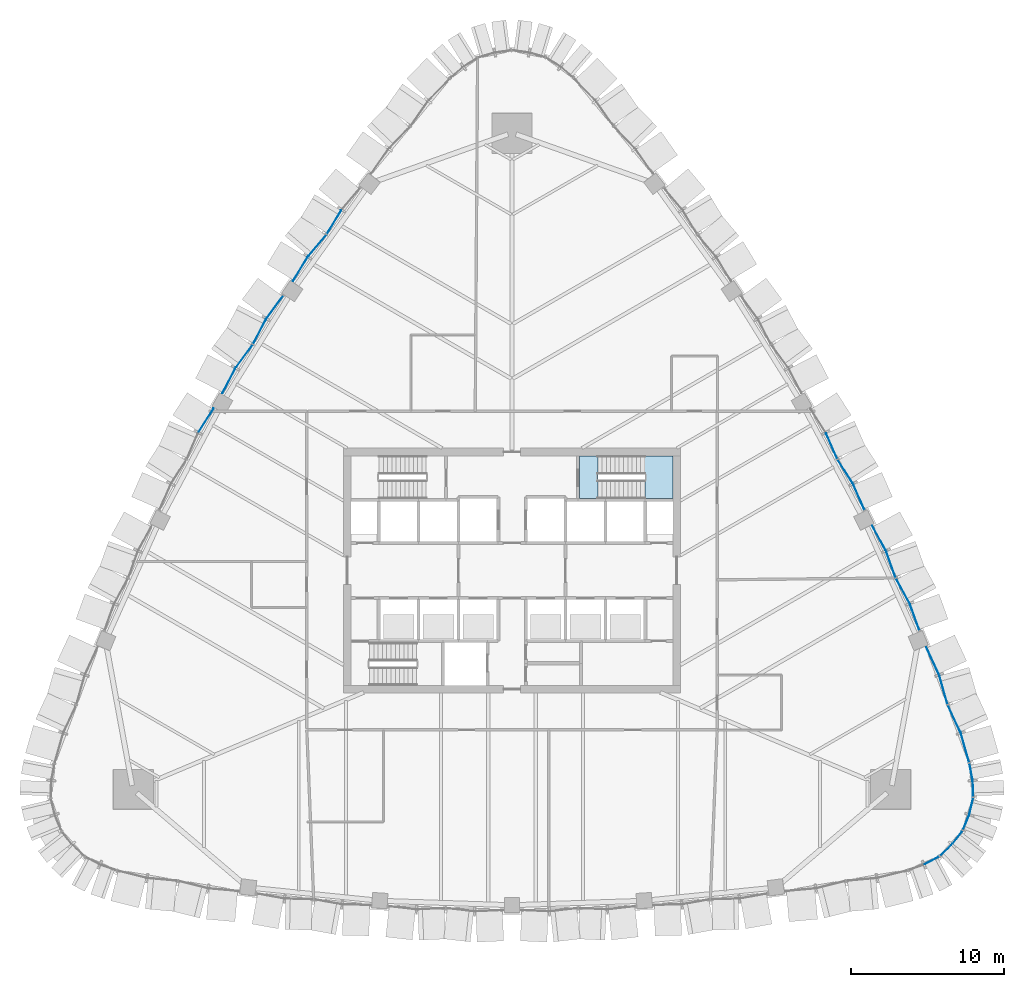
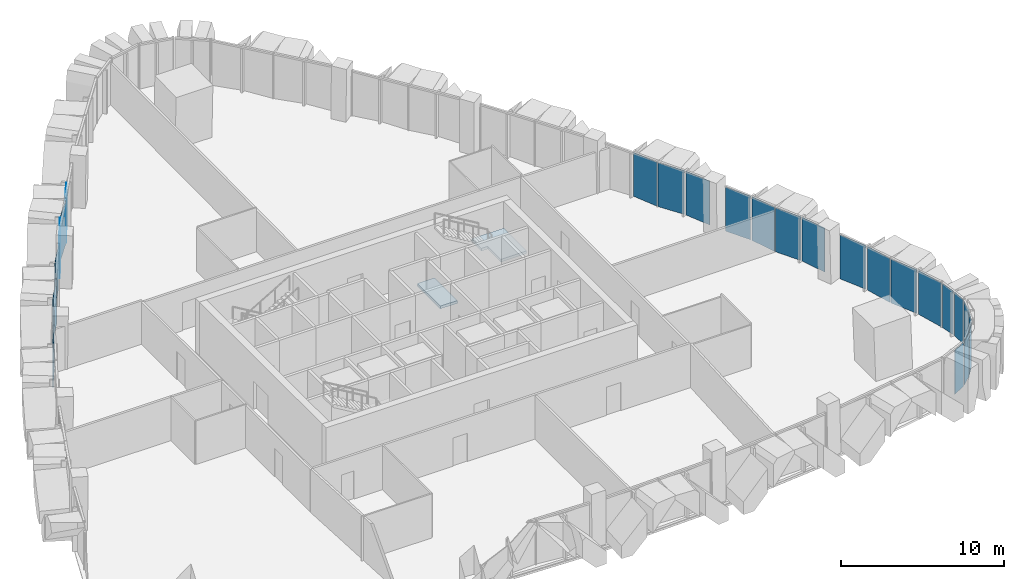
# One storey, part 10 of 18: 26 plates, 2 slabs, 11 elements without a shape of their own.
"""IFC4 building model written with IfcOpenShell, lengths in metres."""

from ifc_helpers import new_model, si_unit, direction, frame, origin, place, context, subcontext, project, spatial, polyline, outline, extrude, material, layer, layer_set, type_object, element, aggregate, save


model = new_model("IFC4")

# Units and contexts
model_context = context("Model", 3, precision=1e-05, world=origin(), true_north=direction((0.0, 1.0)))
body_context = subcontext(model_context, "Body", "Model", "MODEL_VIEW")
ifc_project = project(units=[si_unit("LENGTHUNIT", "METRE"), si_unit("AREAUNIT", "SQUARE_METRE"), si_unit("VOLUMEUNIT", "CUBIC_METRE"), si_unit("PLANEANGLEUNIT", "RADIAN"), si_unit("MASSUNIT", "GRAM", prefix="KILO")], contexts=[model_context])

# Site, building, storey
site_placement = place(None, origin())
site = spatial("IfcSite", under=ifc_project, at=site_placement, CompositionType="ELEMENT")
building_placement = place(site_placement, origin())
building = spatial("IfcBuilding", under=site, at=building_placement, Name="Sierra Prisma Convention Tower", CompositionType="ELEMENT")
storey_placement = place(building_placement, frame((0.0, 0.0, 137.800048828125)))
storey = spatial("IfcBuildingStorey", under=building, at=storey_placement, Name="L29", CompositionType="ELEMENT", Elevation=137.800048828125)

# Curtain wall, plate
ifc_material_1 = material(Name="Aluminium and glass curtain wall", Category="aluminium")
ifc_layer_1 = layer(ifc_material_1, 0.179931640625)
ifc_layer_set_1 = layer_set([ifc_layer_1], Name="CW-2 Faceted crystal curtain wall")
curtain_wall_type = type_object("IfcCurtainWallType", Name="CW-2 Faceted crystal curtain wall", PredefinedType="NOTDEFINED", material=ifc_layer_set_1)
curtain_wall_1_placement = place(storey_placement, origin())
curtain_wall_1 = element("IfcCurtainWall", 1, at=curtain_wall_1_placement, inside=storey, type_object=curtain_wall_type, Name="CW-2 SE1 L29", PredefinedType="NOTDEFINED")
ifc_material_2 = material(Name="Tinted glass bronze-grey IGU", Category="glass")
ifc_layer_2 = layer(ifc_material_2, 0.028076171875)
ifc_layer_set_2 = layer_set([ifc_layer_2], Name="CW-2 crystal pane")
plate_type = type_object("IfcPlateType", Name="CW-2 crystal pane", PredefinedType="CURTAIN_PANEL", material=ifc_layer_set_2)
plate_1_placement = place(storey_placement, frame((27.85400390625, -18.7099609375, 0.0), z_axis=(0.471661047399, -0.881779936473, 0.0), x_axis=(-0.881779936473, -0.471661047399, 0.0)))
plate_1 = element("IfcPlate", 2, at=plate_1_placement, type_object=plate_type, Name="CW-2 pane SE1.1.2", PredefinedType="CURTAIN_PANEL", context=body_context, shape_type="SweptSolid", body=[
    extrude(outline(polyline([(0.0, 0.0), (1.0036628517142567, 0.0), (1.0036628517142567, -3.280029296875), (0.0, -3.280029296875), (0.0, 0.0)])), origin(), (0.0, 0.0, -1.0), 0.028076171875),
])
aggregate(curtain_wall_1, [plate_1])

# Curtain wall, plates
curtain_wall_2_placement = place(storey_placement, origin())
curtain_wall_2 = element("IfcCurtainWall", 3, at=curtain_wall_2_placement, inside=storey, type_object=curtain_wall_type, Name="CW-2 SE2 L29", PredefinedType="NOTDEFINED")
plate_2_placement = place(storey_placement, frame((27.965087890625, -18.6298828125, 0.0), z_axis=(0.686873553364, -0.726776940807, 0.0), x_axis=(0.726776940807, 0.686873553364, 0.0)))
plate_2 = element("IfcPlate", 4, at=plate_2_placement, type_object=plate_type, Name="CW-2 pane SE2.1.1", PredefinedType="CURTAIN_PANEL", context=body_context, shape_type="SweptSolid", body=[
    extrude(outline(polyline([(0.0, 0.0), (1.003400088705508, 0.0), (1.003400088705508, 3.280029296875), (0.0, 3.280029296875), (0.0, 0.0)])), origin(), (0.0, 0.0, -1.0), 0.028076171875),
])
plate_3_placement = place(storey_placement, frame((29.393798828125, -17.049560546875, 0.0), z_axis=(0.792108212903, -0.610380683714, 0.0), x_axis=(-0.610380683714, -0.792108212903, 0.0)))
plate_3 = element("IfcPlate", 5, at=plate_3_placement, type_object=plate_type, Name="CW-2 pane SE2.1.2", PredefinedType="CURTAIN_PANEL", context=body_context, shape_type="SweptSolid", body=[
    extrude(outline(polyline([(0.0, 0.0), (1.0035521183231224, 0.0), (1.0035521183231224, -3.280029296875), (0.0, -3.280029296875), (0.0, 0.0)])), origin(), (0.0, 0.0, -1.0), 0.028076171875),
])
aggregate(curtain_wall_2, [plate_2, plate_3])

curtain_wall_3_placement = place(storey_placement, origin())
curtain_wall_3 = element("IfcCurtainWall", 6, at=curtain_wall_3_placement, inside=storey, type_object=curtain_wall_type, Name="CW-2 SE3 L29", PredefinedType="NOTDEFINED")
plate_4_placement = place(storey_placement, frame((29.46240234375, -16.93115234375, 0.0), z_axis=(0.924688174629, -0.380725333674, 0.0), x_axis=(0.380725333674, 0.924688174629, 0.0)))
plate_4 = element("IfcPlate", 7, at=plate_4_placement, type_object=plate_type, Name="CW-2 pane SE3.1.1", PredefinedType="CURTAIN_PANEL", context=body_context, shape_type="SweptSolid", body=[
    extrude(outline(polyline([(0.0, 0.0), (1.0035583249425937, 0.0), (1.0035583249425937, 3.280029296875), (0.0, 3.280029296875), (0.0, 0.0)])), origin(), (0.0, 0.0, -1.0), 0.028076171875),
])
plate_5_placement = place(storey_placement, frame((30.116455078125, -14.9033203125, 0.0), z_axis=(0.972868825805, -0.231357402686, 0.0), x_axis=(-0.231357402686, -0.972868825805, 0.0)))
plate_5 = element("IfcPlate", 8, at=plate_5_placement, type_object=plate_type, Name="CW-2 pane SE3.1.2", PredefinedType="CURTAIN_PANEL", context=body_context, shape_type="SweptSolid", body=[
    extrude(outline(polyline([(0.0, 0.0), (1.0035457334831333, 0.0), (1.0035457334831333, -3.280029296875), (0.0, -3.280029296875), (0.0, 0.0)])), origin(), (0.0, 0.0, -1.0), 0.028076171875),
])
aggregate(curtain_wall_3, [plate_4, plate_5])

curtain_wall_4_placement = place(storey_placement, origin())
curtain_wall_4 = element("IfcCurtainWall", 9, at=curtain_wall_4_placement, inside=storey, type_object=curtain_wall_type, Name="CW-2 SE4 L29", PredefinedType="NOTDEFINED")
plate_6_placement = place(storey_placement, frame((30.130126953125, -14.76708984375, 0.0), z_axis=(0.999476313762, 0.032358897208, 0.0), x_axis=(-0.032358897208, 0.999476313762, 0.0)))
plate_6 = element("IfcPlate", 10, at=plate_6_placement, type_object=plate_type, Name="CW-2 pane SE4.1.1", PredefinedType="CURTAIN_PANEL", context=body_context, shape_type="SweptSolid", body=[
    extrude(outline(polyline([(0.0, 0.0), (1.0034551831697716, 0.0), (1.0034551831697716, 3.280029296875), (0.0, 3.280029296875), (0.0, 0.0)])), origin(), (0.0, 0.0, -1.0), 0.028076171875),
])
plate_7_placement = place(storey_placement, frame((29.894287109375, -12.649658203125, 0.0), z_axis=(0.982112141093, 0.188296952491, 0.0), x_axis=(0.188296952491, -0.982112141093, 0.0)))
plate_7 = element("IfcPlate", 11, at=plate_7_placement, type_object=plate_type, Name="CW-2 pane SE4.1.2", PredefinedType="CURTAIN_PANEL", context=body_context, shape_type="SweptSolid", body=[
    extrude(outline(polyline([(0.0, 0.0), (1.0035470104543807, 0.0), (1.0035470104543807, -3.280029296875), (0.0, -3.280029296875), (0.0, 0.0)])), origin(), (0.0, 0.0, -1.0), 0.028076171875),
])
aggregate(curtain_wall_4, [plate_6, plate_7])

curtain_wall_5_placement = place(storey_placement, origin())
curtain_wall_5 = element("IfcCurtainWall", 12, at=curtain_wall_5_placement, inside=storey, type_object=curtain_wall_type, Name="CW-2 NE1 L29", PredefinedType="NOTDEFINED")
plate_8_placement = place(storey_placement, frame((29.862060546875, -12.5146484375, 0.0), z_axis=(0.961738343213, 0.273969631884, 0.0), x_axis=(-0.273969631884, 0.961738343213, 0.0)))
plate_8 = element("IfcPlate", 13, at=plate_8_placement, type_object=plate_type, Name="CW-2 pane NE1.1.1", PredefinedType="CURTAIN_PANEL", context=body_context, shape_type="SweptSolid", body=[
    extrude(outline(polyline([(0.0, 0.0), (1.9310634201931127, 0.0), (1.9310634201931127, 3.280029296875001), (0.0, 3.280029296875001), (0.0, 0.0)])), origin(), (0.0, 0.0, -1.0), 0.028076171875),
])
plate_9_placement = place(storey_placement, frame((28.474853515625, -8.784423828125, 0.0), z_axis=(0.907046907926, 0.421029579509, 0.0), x_axis=(0.421029579509, -0.907046907926, 0.0)))
plate_9 = element("IfcPlate", 14, at=plate_9_placement, type_object=plate_type, Name="CW-2 pane NE1.1.2", PredefinedType="CURTAIN_PANEL", context=body_context, shape_type="SweptSolid", body=[
    extrude(outline(polyline([(0.0, 0.0), (1.9309528850653093, 0.0), (1.9309528850653093, -3.280029296875001), (0.0, -3.280029296875001), (0.0, 0.0)])), origin(), (0.0, 0.0, -1.0), 0.028076171875),
])
plate_10_placement = place(storey_placement, frame((28.450439453125, -8.718994140625, 0.0), z_axis=(0.961738343213, 0.273969631884, 0.0), x_axis=(-0.273969631884, 0.961738343213, 0.0)))
plate_10 = element("IfcPlate", 15, at=plate_10_placement, type_object=plate_type, Name="CW-2 pane NE1.2.1", PredefinedType="CURTAIN_PANEL", context=body_context, shape_type="SweptSolid", body=[
    extrude(outline(polyline([(0.0, 0.0), (1.9310634201931127, 0.0), (1.9310634201931127, 3.280029296875001), (0.0, 3.280029296875001), (0.0, 0.0)])), origin(), (0.0, 0.0, -1.0), 0.028076171875),
])
plate_11_placement = place(storey_placement, frame((27.063232421875, -4.98876953125, 0.0), z_axis=(0.907046907926, 0.421029579509, 0.0), x_axis=(0.421029579509, -0.907046907926, 0.0)))
plate_11 = element("IfcPlate", 16, at=plate_11_placement, type_object=plate_type, Name="CW-2 pane NE1.2.2", PredefinedType="CURTAIN_PANEL", context=body_context, shape_type="SweptSolid", body=[
    extrude(outline(polyline([(0.0, 0.0), (1.9309528850653093, 0.0), (1.9309528850653093, -3.280029296875001), (0.0, -3.280029296875001), (0.0, 0.0)])), origin(), (0.0, 0.0, -1.0), 0.028076171875),
])
aggregate(curtain_wall_5, [plate_8, plate_9, plate_10, plate_11])

curtain_wall_6_placement = place(storey_placement, origin())
curtain_wall_6 = element("IfcCurtainWall", 17, at=curtain_wall_6_placement, inside=storey, type_object=curtain_wall_type, Name="CW-2 NE2 L29", PredefinedType="NOTDEFINED")
plate_12_placement = place(storey_placement, frame((26.612060546875, -3.89404296875, 0.0), z_axis=(0.941254563031, 0.337697864331, 0.0), x_axis=(-0.337697864331, 0.941254563031, 0.0)))
plate_12 = element("IfcPlate", 18, at=plate_12_placement, type_object=plate_type, Name="CW-2 pane NE2.1.1", PredefinedType="CURTAIN_PANEL", context=body_context, shape_type="SweptSolid", body=[
    extrude(outline(polyline([(0.0, 0.0), (1.794376261307749, 0.0), (1.794376261307749, 3.280029296875), (0.0, 3.280029296875), (0.0, 0.0)])), origin(), (0.0, 0.0, -1.0), 0.028076171875),
])
plate_13_placement = place(storey_placement, frame((25.090087890625, -0.513671875, 0.0), z_axis=(0.876801305553, 0.480852857515, 0.0), x_axis=(0.480852857515, -0.876801305553, 0.0)))
plate_13 = element("IfcPlate", 19, at=plate_13_placement, type_object=plate_type, Name="CW-2 pane NE2.1.2", PredefinedType="CURTAIN_PANEL", context=body_context, shape_type="SweptSolid", body=[
    extrude(outline(polyline([(0.0, 0.0), (1.7942972684185372, 0.0), (1.7942972684185372, -3.280029296875), (0.0, -3.280029296875), (0.0, 0.0)])), origin(), (0.0, 0.0, -1.0), 0.028076171875),
])
plate_14_placement = place(storey_placement, frame((25.061279296875, -0.44970703125, 0.0), z_axis=(0.941254563031, 0.337697864331, 0.0), x_axis=(-0.337697864331, 0.941254563031, 0.0)))
plate_14 = element("IfcPlate", 20, at=plate_14_placement, type_object=plate_type, Name="CW-2 pane NE2.2.1", PredefinedType="CURTAIN_PANEL", context=body_context, shape_type="SweptSolid", body=[
    extrude(outline(polyline([(0.0, 0.0), (1.794376261307749, 0.0), (1.794376261307749, 3.280029296875), (0.0, 3.280029296875), (0.0, 0.0)])), origin(), (0.0, 0.0, -1.0), 0.028076171875),
])
plate_15_placement = place(storey_placement, frame((23.539306640625, 2.9306640625, 0.0), z_axis=(0.876801305553, 0.480852857515, 0.0), x_axis=(0.480852857515, -0.876801305553, 0.0)))
plate_15 = element("IfcPlate", 21, at=plate_15_placement, type_object=plate_type, Name="CW-2 pane NE2.2.2", PredefinedType="CURTAIN_PANEL", context=body_context, shape_type="SweptSolid", body=[
    extrude(outline(polyline([(0.0, 0.0), (1.7942972684185372, 0.0), (1.7942972684185372, -3.280029296875), (0.0, -3.280029296875), (0.0, 0.0)])), origin(), (0.0, 0.0, -1.0), 0.028076171875),
])
aggregate(curtain_wall_6, [plate_12, plate_13, plate_14, plate_15])

curtain_wall_7_placement = place(storey_placement, origin())
curtain_wall_7 = element("IfcCurtainWall", 22, at=curtain_wall_7_placement, inside=storey, type_object=curtain_wall_type, Name="CW-2 NE3 L29", PredefinedType="NOTDEFINED")
plate_16_placement = place(storey_placement, frame((23.031005859375, 3.96435546875, 0.0), z_axis=(0.916511389168, 0.400008591814, 0.0), x_axis=(-0.400008591814, 0.916511389168, 0.0)))
plate_16 = element("IfcPlate", 23, at=plate_16_placement, type_object=plate_type, Name="CW-2 pane NE3.1.1", PredefinedType="CURTAIN_PANEL", context=body_context, shape_type="SweptSolid", body=[
    extrude(outline(polyline([(0.0, 0.0), (1.802329450863922, 0.0), (1.802329450863922, 3.280029296875001), (0.0, 3.280029296875001), (0.0, 0.0)])), origin(), (0.0, 0.0, -1.0), 0.028076171875),
])
plate_17_placement = place(storey_placement, frame((21.2783203125, 7.24951171875, 0.0), z_axis=(0.842605777815, 0.538530874874, 0.0), x_axis=(0.538530874874, -0.842605777815, 0.0)))
plate_17 = element("IfcPlate", 24, at=plate_17_placement, type_object=plate_type, Name="CW-2 pane NE3.1.2", PredefinedType="CURTAIN_PANEL", context=body_context, shape_type="SweptSolid", body=[
    extrude(outline(polyline([(0.0, 0.0), (1.8025022710661531, 0.0), (1.8025022710661531, -3.280029296875), (0.0, -3.280029296875), (0.0, 0.0)])), origin(), (0.0, 0.0, -1.0), 0.028076171875),
])
plate_18_placement = place(storey_placement, frame((21.245361328125, 7.311279296875, 0.0), z_axis=(0.916511389168, 0.400008591814, 0.0), x_axis=(-0.400008591814, 0.916511389168, 0.0)))
plate_18 = element("IfcPlate", 25, at=plate_18_placement, type_object=plate_type, Name="CW-2 pane NE3.2.1", PredefinedType="CURTAIN_PANEL", context=body_context, shape_type="SweptSolid", body=[
    extrude(outline(polyline([(0.0, 0.0), (1.802329450863922, 0.0), (1.802329450863922, 3.280029296875001), (0.0, 3.280029296875001), (0.0, 0.0)])), origin(), (0.0, 0.0, -1.0), 0.028076171875),
])
aggregate(curtain_wall_7, [plate_16, plate_17, plate_18])

curtain_wall_8_placement = place(storey_placement, origin())
curtain_wall_8 = element("IfcCurtainWall", 26, at=curtain_wall_8_placement, inside=storey, type_object=curtain_wall_type, Name="CW-2 NW2 L29", PredefinedType="NOTDEFINED")
plate_19_placement = place(storey_placement, frame((-12.100341796875, 21.9853515625, 0.0), z_axis=(-0.854828468294, 0.518910676122, 0.0), x_axis=(0.518910676122, 0.854828468294, 0.0)))
plate_19 = element("IfcPlate", 27, at=plate_19_placement, type_object=plate_type, Name="CW-2 pane NW2.1.2", PredefinedType="CURTAIN_PANEL", context=body_context, shape_type="SweptSolid", body=[
    extrude(outline(polyline([(0.0, 0.0), (1.7944366662654392, 0.0), (1.7944366662654392, -3.280029296875001), (0.0, -3.280029296875001), (0.0, 0.0)])), origin(), (0.0, 0.0, -1.0), 0.028076171875),
])
plate_20_placement = place(storey_placement, frame((-12.14111328125, 21.928466796875, 0.0), z_axis=(-0.763066198616, 0.646320335847, 0.0), x_axis=(-0.646320335847, -0.763066198616, 0.0)))
plate_20 = element("IfcPlate", 28, at=plate_20_placement, type_object=plate_type, Name="CW-2 pane NW2.2.1", PredefinedType="CURTAIN_PANEL", context=body_context, shape_type="SweptSolid", body=[
    extrude(outline(polyline([(0.0, 0.0), (1.7942619231233055, 0.0), (1.7942619231233055, 3.280029296875), (0.0, 3.280029296875), (0.0, 0.0)])), origin(), (0.0, 0.0, -1.0), 0.028076171875),
])
plate_21_placement = place(storey_placement, frame((-14.3076171875, 18.920166015625, 0.0), z_axis=(-0.854828468294, 0.518910676122, 0.0), x_axis=(0.518910676122, 0.854828468294, 0.0)))
plate_21 = element("IfcPlate", 29, at=plate_21_placement, type_object=plate_type, Name="CW-2 pane NW2.2.2", PredefinedType="CURTAIN_PANEL", context=body_context, shape_type="SweptSolid", body=[
    extrude(outline(polyline([(0.0, 0.0), (1.7944366662654392, 0.0), (1.7944366662654392, -3.280029296875001), (0.0, -3.280029296875001), (0.0, 0.0)])), origin(), (0.0, 0.0, -1.0), 0.028076171875),
])
aggregate(curtain_wall_8, [plate_19, plate_20, plate_21])

curtain_wall_9_placement = place(storey_placement, origin())
curtain_wall_9 = element("IfcCurtainWall", 30, at=curtain_wall_9_placement, inside=storey, type_object=curtain_wall_type, Name="CW-2 NW3 L29", PredefinedType="NOTDEFINED")
plate_22_placement = place(storey_placement, frame((-14.94873046875, 17.963134765625, 0.0), z_axis=(-0.80464032763, 0.593762530943, 0.0), x_axis=(-0.593762530943, -0.80464032763, 0.0)))
plate_22 = element("IfcPlate", 31, at=plate_22_placement, type_object=plate_type, Name="CW-2 pane NW3.1.1", PredefinedType="CURTAIN_PANEL", context=body_context, shape_type="SweptSolid", body=[
    extrude(outline(polyline([(0.0, 0.0), (1.8025935356695917, 0.0), (1.8025935356695917, 3.280029296875), (0.0, 3.280029296875), (0.0, 0.0)])), origin(), (0.0, 0.0, -1.0), 0.028076171875),
])
plate_23_placement = place(storey_placement, frame((-16.91748046875, 14.802734375, 0.0), z_axis=(-0.887664319648, 0.460491102655, 0.0), x_axis=(0.460491102655, 0.887664319648, 0.0)))
plate_23 = element("IfcPlate", 32, at=plate_23_placement, type_object=plate_type, Name="CW-2 pane NW3.1.2", PredefinedType="CURTAIN_PANEL", context=body_context, shape_type="SweptSolid", body=[
    extrude(outline(polyline([(0.0, 0.0), (1.802593188476052, 0.0), (1.802593188476052, -3.280029296875), (0.0, -3.280029296875), (0.0, 0.0)])), origin(), (0.0, 0.0, -1.0), 0.028076171875),
])
plate_24_placement = place(storey_placement, frame((-16.95458984375, 14.743408203125, 0.0), z_axis=(-0.804705035883, 0.59367483122, 0.0), x_axis=(-0.59367483122, -0.804705035883, 0.0)))
plate_24 = element("IfcPlate", 33, at=plate_24_placement, type_object=plate_type, Name="CW-2 pane NW3.2.1", PredefinedType="CURTAIN_PANEL", context=body_context, shape_type="SweptSolid", body=[
    extrude(outline(polyline([(0.0, 0.0), (1.802448584819288, 0.0), (1.802448584819288, 3.280029296875), (0.0, 3.280029296875), (0.0, 0.0)])), origin(), (0.0, 0.0, -1.0), 0.028076171875),
])
plate_25_placement = place(storey_placement, frame((-18.923095703125, 11.5830078125, 0.0), z_axis=(-0.887664319648, 0.460491102655, 0.0), x_axis=(0.460491102655, 0.887664319648, 0.0)))
plate_25 = element("IfcPlate", 34, at=plate_25_placement, type_object=plate_type, Name="CW-2 pane NW3.2.2", PredefinedType="CURTAIN_PANEL", context=body_context, shape_type="SweptSolid", body=[
    extrude(outline(polyline([(0.0, 0.0), (1.802593188476052, 0.0), (1.802593188476052, -3.280029296875), (0.0, -3.280029296875), (0.0, 0.0)])), origin(), (0.0, 0.0, -1.0), 0.028076171875),
])
aggregate(curtain_wall_9, [plate_22, plate_23, plate_24, plate_25])

# Curtain wall, plate
curtain_wall_10_placement = place(storey_placement, origin())
curtain_wall_10 = element("IfcCurtainWall", 35, at=curtain_wall_10_placement, inside=storey, type_object=curtain_wall_type, Name="CW-2 NW4 L29", PredefinedType="NOTDEFINED")
plate_26_placement = place(storey_placement, frame((-19.492919921875, 10.596435546875, 0.0), z_axis=(-0.84266723776, 0.538434700224, 0.0), x_axis=(-0.538434700224, -0.84266723776, 0.0)))
plate_26 = element("IfcPlate", 36, at=plate_26_placement, type_object=plate_type, Name="CW-2 pane NW4.1.1", PredefinedType="CURTAIN_PANEL", context=body_context, shape_type="SweptSolid", body=[
    extrude(outline(polyline([(0.0, 0.0), (1.8023708055414207, 0.0), (1.8023708055414207, 3.280029296875), (0.0, 3.280029296875), (0.0, 0.0)])), origin(), (0.0, 0.0, -1.0), 0.028076171875),
])
aggregate(curtain_wall_10, [plate_26])

# Stair, slab
ifc_material_3 = material(Name="Concrete C30/37", Category="concrete")
stair_type = type_object("IfcStairType", Name="Stair dog-leg 1200 RC", PredefinedType="HALF_TURN_STAIR", material=ifc_material_3)
stair_placement = place(storey_placement, origin())
stair = element("IfcStair", 37, at=stair_placement, inside=storey, type_object=stair_type, Name="L29 S4", PredefinedType="HALF_TURN_STAIR")
ifc_material_4 = material(Name="Concrete C35/45", Category="concrete")
ifc_layer_3 = layer(ifc_material_4, 0.199951171875)
ifc_layer_set_3 = layer_set([ifc_layer_3], Name="Stair landing slab")
slab_type = type_object("IfcSlabType", Name="Stair landing slab", PredefinedType="LANDING", material=ifc_layer_set_3)
slab_1_placement = place(storey_placement, frame((0.0, 0.0, 1.800048828125)))
slab_1 = element("IfcSlab", 38, at=slab_1_placement, type_object=slab_type, Name="S4 landing 1", PredefinedType="LANDING", context=body_context, shape_type="SweptSolid", body=[
    extrude(outline(polyline([(10.5, 7.5), (10.5, 4.699951171875), (8.677978515625, 4.699951171875), (8.677978515625, 6.300048828125), (8.22998046875, 6.300048828125), (8.22998046875, 7.5), (10.5, 7.5)])), origin(), (0.0, 0.0, 1.0), 0.199951171875),
])
aggregate(stair, [slab_1])

# Slab
slab_2_placement = place(storey_placement, frame((0.0, 0.0, -0.199951171875)))
element("IfcSlab", 39, at=slab_2_placement, inside=storey, type_object=slab_type, Name="S4 floor landing L29", PredefinedType="LANDING", context=body_context, shape_type="SweptSolid", body=[
    extrude(outline(polyline([(4.39990234375, 4.699951171875), (5.60205078125, 4.699951171875), (5.60205078125, 7.5), (4.39990234375, 7.5), (4.39990234375, 4.699951171875)])), origin(), (0.0, 0.0, 1.0), 0.199951171875),
])

save(model, "model.ifc")
